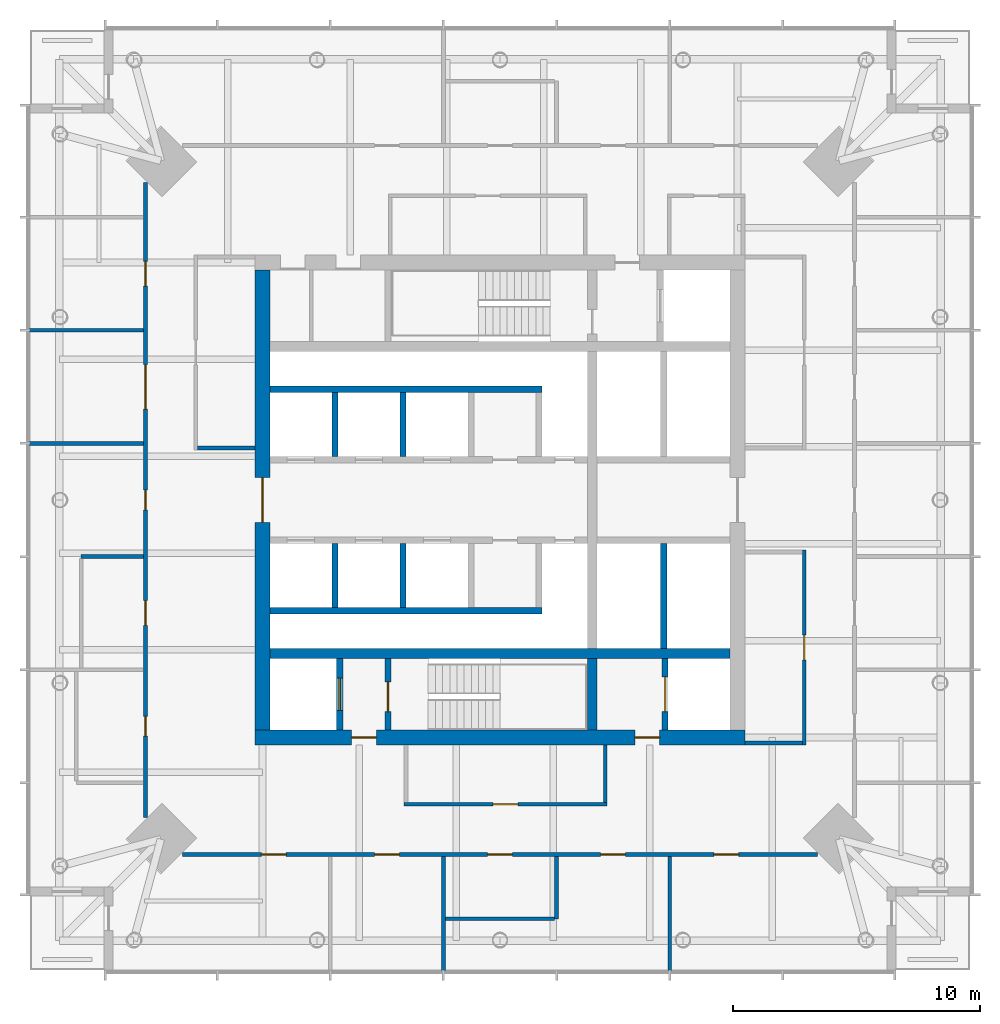
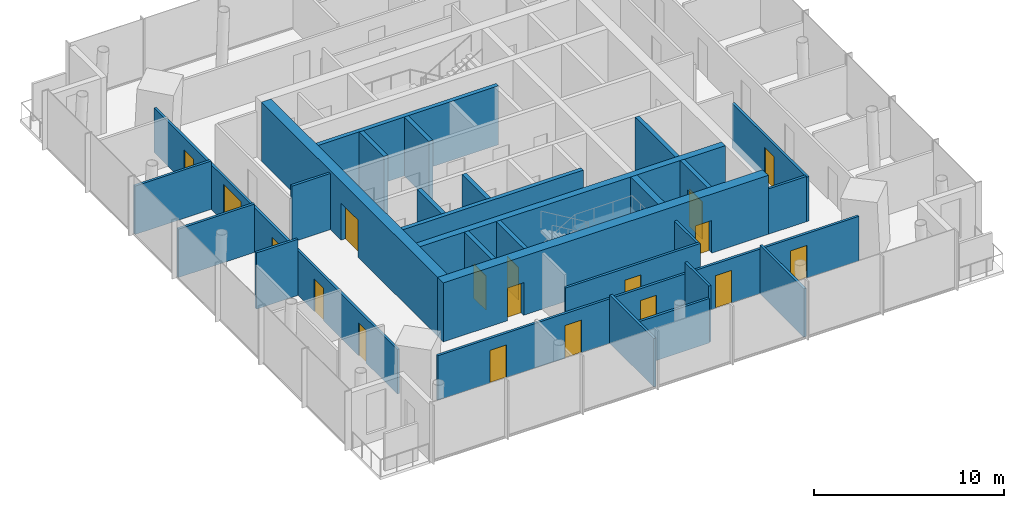
# One storey, part 4 of 7: 28 walls, 18 doors, 18 openings.
"""IFC4 building model written with IfcOpenShell, lengths in metres."""

from ifc_helpers import new_model, si_unit, direction, frame, frame_2d, origin, place, context, subcontext, project, spatial, rectangle, extrude, material, layer, layer_set, type_object, element, fill, save


model = new_model("IFC4")

# Units and contexts
model_context = context("Model", 3, precision=1e-05, world=origin(), true_north=direction((0.0, 1.0)))
body_context = subcontext(model_context, "Body", "Model", "MODEL_VIEW")
ifc_project = project(units=[si_unit("LENGTHUNIT", "METRE"), si_unit("AREAUNIT", "SQUARE_METRE"), si_unit("VOLUMEUNIT", "CUBIC_METRE"), si_unit("PLANEANGLEUNIT", "RADIAN"), si_unit("MASSUNIT", "GRAM", prefix="KILO")], contexts=[model_context])

# Site, building, storey
site_placement = place(None, origin())
site = spatial("IfcSite", under=ifc_project, at=site_placement, CompositionType="ELEMENT")
building_placement = place(site_placement, origin())
building = spatial("IfcBuilding", under=site, at=building_placement, Name="Ostroluk Exchange", CompositionType="ELEMENT")
storey_placement = place(building_placement, frame((0.0, 0.0, 214.800048828125)))
storey = spatial("IfcBuildingStorey", under=building, at=storey_placement, Name="L55", CompositionType="ELEMENT", Elevation=214.800048828125)

# Walls
ifc_material_1 = material(Name="Concrete C50/60", Category="concrete")
ifc_layer_1 = layer(ifc_material_1, 0.39990234375)
ifc_layer_set_1 = layer_set([ifc_layer_1], Name="Core cross wall 400 C50/60")
wall_type_1 = type_object("IfcWallType", Name="Core cross wall 400 C50/60", PredefinedType="SHEAR", material=ifc_layer_set_1)
wall_1_placement = place(storey_placement, frame((35.699951171875, 39.800048828125, 0.0), z_axis=(0.0, 0.0, 1.0), x_axis=(1.0, 0.0, 0.0)))
element("IfcWall", 1, at=wall_1_placement, inside=storey, type_object=wall_type_1, Name="T1 core wall XS", PredefinedType="SHEAR", context=body_context, shape_type="SweptSolid", body=[
    extrude(rectangle(XDim=18.60009765625, YDim=0.39990234375, at=frame_2d((9.300048828125, 0.0))), origin(), (0.0, 0.0, 1.0), 3.800048828125),
])
wall_2_placement = place(storey_placement, frame((48.72998046875, 36.699951171875, 0.0), z_axis=(0.0, 0.0, 1.0), x_axis=(0.0, 1.0, 0.0)))
element("IfcWall", 2, at=wall_2_placement, inside=storey, type_object=wall_type_1, Name="T1 core wall YE1", PredefinedType="SHEAR", context=body_context, shape_type="SweptSolid", body=[
    extrude(rectangle(XDim=2.900146484375, YDim=0.39990234375, at=frame_2d((1.4501953125, 0.0))), origin(), (0.0, 0.0, 1.0), 3.800048828125),
])

# Wall, opening, door
ifc_material_2 = material(Name="Concrete C40/50", Category="concrete")
ifc_layer_2 = layer(ifc_material_2, 0.25)
ifc_layer_set_2 = layer_set([ifc_layer_2], Name="Core shaft wall 250")
wall_type_2 = type_object("IfcWallType", Name="Core shaft wall 250", PredefinedType="SHEAR", material=ifc_layer_set_2)
wall_3_placement = place(storey_placement, frame((38.52490234375, 36.699951171875, 0.0), z_axis=(0.0, 0.0, 1.0), x_axis=(0.0, 1.0, 0.0)))
wall_3 = element("IfcWall", 3, at=wall_3_placement, inside=storey, type_object=wall_type_2, Name="Firefighting lift shaft wall", PredefinedType="SHEAR", context=body_context, shape_type="SweptSolid", body=[
    extrude(rectangle(XDim=2.900146484375, YDim=0.25, at=frame_2d((1.4501953125, 0.0))), origin(), (0.0, 0.0, 1.0), 3.800048828125),
])
opening_1_placement = place(wall_3_placement, frame((0.800048828125, 0.0, 0.0)))
opening_1 = element("IfcOpeningElement", 4, at=opening_1_placement, cuts=wall_3, Name="Opening LD2", PredefinedType="OPENING", context=body_context, shape_type="SweptSolid", body=[
    extrude(rectangle(XDim=1.300048828125, YDim=2.199951171875, at=frame_2d((0.64990234375, 1.10009765625))), frame((0.0, 0.135009765625, 0.0), z_axis=(0.0, -1.0, 0.0), x_axis=(1.0, 0.0, 0.0)), (0.0, 0.0, 1.0), 0.27001953125),
])
ifc_material_3 = material(Name="Stainless steel", Category="steel")
door_type_1 = type_object("IfcDoorType", Name="Lift landing door E 60 1300 x 2200", OperationType="DOUBLE_DOOR_SLIDING", PredefinedType="DOOR", material=ifc_material_3)
door_1_placement = place(opening_1_placement, origin())
door_1 = element("IfcDoor", 5, at=door_1_placement, inside=storey, type_object=door_type_1, Name="Lift FL1 landing door", OperationType="DOUBLE_DOOR_SLIDING", OverallHeight=2.199951171875, OverallWidth=1.300048828125, PredefinedType="DOOR", context=body_context, shape_type="SweptSolid", body=[
    extrude(rectangle(XDim=1.300048828125, YDim=2.199951171875, at=frame_2d((0.64990234375, 1.10009765625))), frame((0.0, 0.02490234375, 0.0), z_axis=(0.0, -1.0, 0.0), x_axis=(1.0, 0.0, 0.0)), (0.0, 0.0, 1.0), 0.050048828125),
])
fill(opening_1, door_1)

wall_4_placement = place(storey_placement, frame((40.47509765625, 36.699951171875, 0.0), z_axis=(0.0, 0.0, 1.0), x_axis=(0.0, 1.0, 0.0)))
wall_4 = element("IfcWall", 6, at=wall_4_placement, inside=storey, type_object=wall_type_2, Name="Stair shaft wall", PredefinedType="SHEAR", context=body_context, shape_type="SweptSolid", body=[
    extrude(rectangle(XDim=2.900146484375, YDim=0.25, at=frame_2d((1.4501953125, 0.0))), origin(), (0.0, 0.0, 1.0), 3.800048828125),
])
opening_2_placement = place(wall_4_placement, frame((0.75, 0.0, 0.0)))
opening_2 = element("IfcOpeningElement", 7, at=opening_2_placement, cuts=wall_4, Name="Opening FD60S", PredefinedType="OPENING", context=body_context, shape_type="SweptSolid", body=[
    extrude(rectangle(XDim=1.199951171875, YDim=2.10009765625, at=frame_2d((0.60009765625, 1.050048828125))), frame((0.0, 0.135009765625, 0.0), z_axis=(0.0, -1.0, 0.0), x_axis=(1.0, 0.0, 0.0)), (0.0, 0.0, 1.0), 0.27001953125),
])
ifc_material_4 = material(Name="Steel", Category="steel")
door_type_2 = type_object("IfcDoorType", Name="Stair door EI 60 1200 x 2100", OperationType="SINGLE_SWING_LEFT", PredefinedType="DOOR", material=ifc_material_4)
door_2_placement = place(opening_2_placement, origin())
door_2 = element("IfcDoor", 8, at=door_2_placement, inside=storey, type_object=door_type_2, Name="Stair T1-S1 door", OperationType="SINGLE_SWING_LEFT", OverallHeight=2.10009765625, OverallWidth=1.199951171875, PredefinedType="DOOR", context=body_context, shape_type="SweptSolid", body=[
    extrude(rectangle(XDim=1.199951171875, YDim=2.10009765625, at=frame_2d((0.60009765625, 1.050048828125))), frame((0.0, 0.02490234375, 0.0), z_axis=(0.0, -1.0, 0.0), x_axis=(1.0, 0.0, 0.0)), (0.0, 0.0, 1.0), 0.050048828125),
])
fill(opening_2, door_2)

wall_5_placement = place(storey_placement, frame((51.675048828125, 36.699951171875, 0.0), z_axis=(0.0, 0.0, 1.0), x_axis=(0.0, 1.0, 0.0)))
wall_5 = element("IfcWall", 9, at=wall_5_placement, inside=storey, type_object=wall_type_2, Name="Service lift shaft wall", PredefinedType="SHEAR", context=body_context, shape_type="SweptSolid", body=[
    extrude(rectangle(XDim=2.900146484375, YDim=0.25, at=frame_2d((1.4501953125, 0.0))), origin(), (0.0, 0.0, 1.0), 3.800048828125),
])
opening_3_placement = place(wall_5_placement, frame((0.75, 0.0, 0.0)))
opening_3 = element("IfcOpeningElement", 10, at=opening_3_placement, cuts=wall_5, Name="Opening LD3", PredefinedType="OPENING", context=body_context, shape_type="SweptSolid", body=[
    extrude(rectangle(XDim=1.39990234375, YDim=2.39990234375, at=frame_2d((0.699951171875, 1.199951171875))), frame((0.0, 0.135009765625, 0.0), z_axis=(0.0, -1.0, 0.0), x_axis=(1.0, 0.0, 0.0)), (0.0, 0.0, 1.0), 0.27001953125),
])
ifc_material_5 = material(Name="Stainless steel", Category="steel")
door_type_3 = type_object("IfcDoorType", Name="Goods lift landing door E 60 1400 x 2400", OperationType="DOUBLE_DOOR_SLIDING", PredefinedType="DOOR", material=ifc_material_5)
door_3_placement = place(opening_3_placement, origin())
door_3 = element("IfcDoor", 11, at=door_3_placement, inside=storey, type_object=door_type_3, Name="Lift SL1 landing door", OperationType="DOUBLE_DOOR_SLIDING", OverallHeight=2.39990234375, OverallWidth=1.39990234375, PredefinedType="DOOR", context=body_context, shape_type="SweptSolid", body=[
    extrude(rectangle(XDim=1.39990234375, YDim=2.39990234375, at=frame_2d((0.699951171875, 1.199951171875))), frame((0.0, 0.02490234375, 0.0), z_axis=(0.0, -1.0, 0.0), x_axis=(1.0, 0.0, 0.0)), (0.0, 0.0, 1.0), 0.050048828125),
])
fill(opening_3, door_3)

# Walls
for number, where, z_axis, x_axis, name in (
    (12, (38.324951171875, 47.75, 0.0), (0.0, 0.0, 1.0), (0.0, 1.0, 0.0), "Lift shaft wall"),
    (13, (41.074951171875, 47.75, 0.0), (0.0, 0.0, 1.0), (0.0, 1.0, 0.0), "Lift shaft wall"),
):
    element("IfcWall", number, at=place(storey_placement, frame(where, z_axis=z_axis, x_axis=x_axis)), inside=storey, type_object=wall_type_2, Name=name, PredefinedType="SHEAR", context=body_context, shape_type="SweptSolid", body=[
        extrude(rectangle(XDim=2.60009765625, YDim=0.25, at=frame_2d((1.300048828125, 0.0))), origin(), (0.0, 0.0, 1.0), 3.800048828125),
    ])
wall_6_placement = place(storey_placement, frame((35.699951171875, 50.47509765625, 0.0), z_axis=(0.0, 0.0, 1.0), x_axis=(1.0, 0.0, 0.0)))
element("IfcWall", 14, at=wall_6_placement, inside=storey, type_object=wall_type_2, Name="Lift shaft wall", PredefinedType="SHEAR", context=body_context, shape_type="SweptSolid", body=[
    extrude(rectangle(XDim=11.0, YDim=0.25, at=frame_2d((5.5, 0.0))), origin(), (0.0, 0.0, 1.0), 3.800048828125),
])
for number, where, z_axis, x_axis, name in (
    (15, (38.324951171875, 44.25, 0.0), (0.0, 0.0, 1.0), (0.0, -1.0, 0.0), "Lift shaft wall"),
    (16, (41.074951171875, 44.25, 0.0), (0.0, 0.0, 1.0), (0.0, -1.0, 0.0), "Lift shaft wall"),
):
    element("IfcWall", number, at=place(storey_placement, frame(where, z_axis=z_axis, x_axis=x_axis)), inside=storey, type_object=wall_type_2, Name=name, PredefinedType="SHEAR", context=body_context, shape_type="SweptSolid", body=[
        extrude(rectangle(XDim=2.60009765625, YDim=0.25, at=frame_2d((1.300048828125, 0.0))), origin(), (0.0, 0.0, 1.0), 3.800048828125),
    ])
wall_7_placement = place(storey_placement, frame((35.699951171875, 41.52490234375, 0.0), z_axis=(0.0, 0.0, 1.0), x_axis=(1.0, 0.0, 0.0)))
element("IfcWall", 17, at=wall_7_placement, inside=storey, type_object=wall_type_2, Name="Lift shaft wall", PredefinedType="SHEAR", context=body_context, shape_type="SweptSolid", body=[
    extrude(rectangle(XDim=11.0, YDim=0.25, at=frame_2d((5.5, 0.0))), origin(), (0.0, 0.0, 1.0), 3.800048828125),
])
wall_8_placement = place(storey_placement, frame((51.614990234375, 44.25, 0.0), z_axis=(0.0, 0.0, 1.0), x_axis=(0.0, -1.0, 0.0)))
element("IfcWall", 18, at=wall_8_placement, inside=storey, type_object=wall_type_2, Name="Lift shaft wall", PredefinedType="SHEAR", context=body_context, shape_type="SweptSolid", body=[
    extrude(rectangle(XDim=4.25, YDim=0.25, at=frame_2d((2.125, 0.0))), origin(), (0.0, 0.0, 1.0), 3.800048828125),
])

# Wall, openings, doors
ifc_material_6 = material(Name="Concrete C50/60", Category="concrete")
ifc_layer_3 = layer(ifc_material_6, 0.60009765625)
ifc_layer_set_3 = layer_set([ifc_layer_3], Name="Core wall 600 C50/60")
wall_type_3 = type_object("IfcWallType", Name="Core wall 600 C50/60", PredefinedType="SHEAR", material=ifc_layer_set_3)
wall_9_placement = place(storey_placement, frame((35.10009765625, 36.39990234375, 0.0), z_axis=(0.0, 0.0, 1.0), x_axis=(1.0, 0.0, 0.0)))
wall_9 = element("IfcWall", 19, at=wall_9_placement, inside=storey, type_object=wall_type_3, Name="T1 core wall S", PredefinedType="SHEAR", context=body_context, shape_type="SweptSolid", body=[
    extrude(rectangle(XDim=19.7998046875, YDim=0.60009765625, at=frame_2d((9.89990234375, 0.0))), origin(), (0.0, 0.0, 1.0), 3.800048828125),
])
opening_4_placement = place(wall_9_placement, frame((3.89990234375, 0.0, 0.0)))
opening_4 = element("IfcOpeningElement", 20, at=opening_4_placement, cuts=wall_9, Name="Opening FD60", PredefinedType="OPENING", context=body_context, shape_type="SweptSolid", body=[
    extrude(rectangle(XDim=1.0, YDim=2.10009765625, at=frame_2d((0.5, 1.050048828125))), frame((0.0, 0.31005859375, 0.0), z_axis=(0.0, -1.0, 0.0), x_axis=(1.0, 0.0, 0.0)), (0.0, 0.0, 1.0), 0.6201171875),
])
opening_5_placement = place(wall_9_placement, frame((15.35009765625, 0.0, 0.0)))
opening_5 = element("IfcOpeningElement", 21, at=opening_5_placement, cuts=wall_9, Name="Opening FD60", PredefinedType="OPENING", context=body_context, shape_type="SweptSolid", body=[
    extrude(rectangle(XDim=1.0, YDim=2.10009765625, at=frame_2d((0.5, 1.050048828125))), frame((0.0, 0.31005859375, 0.0), z_axis=(0.0, -1.0, 0.0), x_axis=(1.0, 0.0, 0.0)), (0.0, 0.0, 1.0), 0.6201171875),
])
ifc_material_7 = material(Name="Steel", Category="steel")
door_type_4 = type_object("IfcDoorType", Name="Fire door EI 60 1000 x 2100", OperationType="SINGLE_SWING_LEFT", PredefinedType="DOOR", material=ifc_material_7)
door_4_placement = place(opening_4_placement, origin())
door_4 = element("IfcDoor", 22, at=door_4_placement, inside=storey, type_object=door_type_4, Name="Firefighting lobby door", OperationType="SINGLE_SWING_LEFT", OverallHeight=2.10009765625, OverallWidth=1.0, PredefinedType="DOOR", context=body_context, shape_type="SweptSolid", body=[
    extrude(rectangle(XDim=1.0, YDim=2.10009765625, at=frame_2d((0.5, 1.050048828125))), frame((0.0, 0.02490234375, 0.0), z_axis=(0.0, -1.0, 0.0), x_axis=(1.0, 0.0, 0.0)), (0.0, 0.0, 1.0), 0.050048828125),
])
fill(opening_4, door_4)
door_5_placement = place(opening_5_placement, origin())
door_5 = element("IfcDoor", 23, at=door_5_placement, inside=storey, type_object=door_type_4, Name="Service lobby door", OperationType="SINGLE_SWING_RIGHT", OverallHeight=2.10009765625, OverallWidth=1.0, PredefinedType="DOOR", context=body_context, shape_type="SweptSolid", body=[
    extrude(rectangle(XDim=1.0, YDim=2.10009765625, at=frame_2d((0.5, 1.050048828125))), frame((0.0, 0.02490234375, 0.0), z_axis=(0.0, -1.0, 0.0), x_axis=(1.0, 0.0, 0.0)), (0.0, 0.0, 1.0), 0.050048828125),
])
fill(opening_5, door_5)

# Wall, opening, door
wall_10_placement = place(storey_placement, frame((35.39990234375, 36.699951171875, 0.0), z_axis=(0.0, 0.0, 1.0), x_axis=(0.0, 1.0, 0.0)))
wall_10 = element("IfcWall", 24, at=wall_10_placement, inside=storey, type_object=wall_type_3, Name="T1 core wall W", PredefinedType="SHEAR", context=body_context, shape_type="SweptSolid", body=[
    extrude(rectangle(XDim=18.60009765625, YDim=0.60009765625, at=frame_2d((9.300048828125, 0.0))), origin(), (0.0, 0.0, 1.0), 3.800048828125),
])
opening_6_placement = place(wall_10_placement, frame((8.39990234375, 0.0, 0.0)))
opening_6 = element("IfcOpeningElement", 25, at=opening_6_placement, cuts=wall_10, Name="Opening FD30D", PredefinedType="OPENING", context=body_context, shape_type="SweptSolid", body=[
    extrude(rectangle(XDim=1.800048828125, YDim=2.39990234375, at=frame_2d((0.89990234375, 1.199951171875))), frame((0.0, 0.31005859375, 0.0), z_axis=(0.0, -1.0, 0.0), x_axis=(1.0, 0.0, 0.0)), (0.0, 0.0, 1.0), 0.6201171875),
])
ifc_material_8 = material(Name="Timber", Category="wood")
door_type_5 = type_object("IfcDoorType", Name="Lobby double door EI 30 1800 x 2400", OperationType="DOUBLE_DOOR_SINGLE_SWING", PredefinedType="DOOR", material=ifc_material_8)
door_6_placement = place(opening_6_placement, origin())
door_6 = element("IfcDoor", 26, at=door_6_placement, inside=storey, type_object=door_type_5, Name="Lift lobby doors", OperationType="DOUBLE_DOOR_SINGLE_SWING", OverallHeight=2.39990234375, OverallWidth=1.800048828125, PredefinedType="DOOR", context=body_context, shape_type="SweptSolid", body=[
    extrude(rectangle(XDim=1.800048828125, YDim=2.39990234375, at=frame_2d((0.89990234375, 1.199951171875))), frame((0.0, 0.02490234375, 0.0), z_axis=(0.0, -1.0, 0.0), x_axis=(1.0, 0.0, 0.0)), (0.0, 0.0, 1.0), 0.050048828125),
])
fill(opening_6, door_6)

ifc_material_9 = material(Name="Gypsum plasterboard partition", Category="gypsum")
ifc_layer_4 = layer(ifc_material_9, 0.14990234375)
ifc_layer_set_4 = layer_set([ifc_layer_4], Name="Plasterboard partition 150")
wall_type_4 = type_object("IfcWallType", Name="Plasterboard partition 150", PredefinedType="PARTITIONING", material=ifc_layer_set_4)
wall_11_placement = place(storey_placement, frame((57.300048828125, 36.10009765625, 0.0), z_axis=(0.0, 0.0, 1.0), x_axis=(0.0, 1.0, 0.0)))
wall_11 = element("IfcWall", 27, at=wall_11_placement, inside=storey, type_object=wall_type_4, Name="Partition", PredefinedType="PARTITIONING", context=body_context, shape_type="SweptSolid", body=[
    extrude(rectangle(XDim=7.875, YDim=0.14990234375, at=frame_2d((3.9375, 0.0))), origin(), (0.0, 0.0, 1.0), 2.866943359375),
])
opening_7_placement = place(wall_11_placement, frame((3.4375, 0.0, 0.0)))
opening_7 = element("IfcOpeningElement", 28, at=opening_7_placement, cuts=wall_11, Name="Opening D-03", PredefinedType="OPENING", context=body_context, shape_type="SweptSolid", body=[
    extrude(rectangle(XDim=1.0, YDim=2.10009765625, at=frame_2d((0.5, 1.050048828125))), frame((0.0, 0.0849609375, 0.0), z_axis=(0.0, -1.0, 0.0), x_axis=(1.0, 0.0, 0.0)), (0.0, 0.0, 1.0), 0.169921875),
])
ifc_material_10 = material(Name="Timber", Category="wood")
door_type_6 = type_object("IfcDoorType", Name="Internal door 1000 x 2100", OperationType="SINGLE_SWING_LEFT", PredefinedType="DOOR", material=ifc_material_10)
door_7_placement = place(opening_7_placement, origin())
door_7 = element("IfcDoor", 29, at=door_7_placement, inside=storey, type_object=door_type_6, Name="Quiet room door", OperationType="SINGLE_SWING_LEFT", OverallHeight=2.10009765625, OverallWidth=1.0, PredefinedType="DOOR", context=body_context, shape_type="SweptSolid", body=[
    extrude(rectangle(XDim=1.0, YDim=2.10009765625, at=frame_2d((0.5, 1.050048828125))), frame((0.0, 0.02490234375, 0.0), z_axis=(0.0, -1.0, 0.0), x_axis=(1.0, 0.0, 0.0)), (0.0, 0.0, 1.0), 0.050048828125),
])
fill(opening_7, door_7)

# Walls
wall_12_placement = place(storey_placement, frame((54.89990234375, 36.175048828125, 0.0), z_axis=(0.0, 0.0, 1.0), x_axis=(1.0, 0.0, 0.0)))
element("IfcWall", 30, at=wall_12_placement, inside=storey, type_object=wall_type_4, Name="Partition", PredefinedType="PARTITIONING", context=body_context, shape_type="SweptSolid", body=[
    extrude(rectangle(XDim=2.3251953125, YDim=0.14990234375, at=frame_2d((1.16259765625, 0.0))), origin(), (0.0, 0.0, 1.0), 2.919921875),
])
wall_13_placement = place(storey_placement, frame((35.10009765625, 48.10009765625, 0.0), z_axis=(0.0, 0.0, 1.0), x_axis=(-1.0, 0.0, 0.0)))
element("IfcWall", 31, at=wall_13_placement, inside=storey, type_object=wall_type_4, Name="Partition", PredefinedType="PARTITIONING", context=body_context, shape_type="SweptSolid", body=[
    extrude(rectangle(XDim=2.3251953125, YDim=0.14990234375, at=frame_2d((1.16259765625, 0.0))), origin(), (0.0, 0.0, 1.0), 3.619873046875),
])

# Wall, opening, door
wall_14_placement = place(storey_placement, frame((41.125, 33.699951171875, 0.0), z_axis=(0.0, 0.0, 1.0), x_axis=(1.0, 0.0, 0.0)))
wall_14 = element("IfcWall", 32, at=wall_14_placement, inside=storey, type_object=wall_type_4, Name="Partition", PredefinedType="PARTITIONING", context=body_context, shape_type="SweptSolid", body=[
    extrude(rectangle(XDim=8.199951171875, YDim=0.14990234375, at=frame_2d((4.10009765625, 0.0))), origin(), (0.0, 0.0, 1.0), 2.866943359375),
])
opening_8_placement = place(wall_14_placement, frame((3.60009765625, 0.0, 0.0)))
opening_8 = element("IfcOpeningElement", 33, at=opening_8_placement, cuts=wall_14, Name="Opening D-03", PredefinedType="OPENING", context=body_context, shape_type="SweptSolid", body=[
    extrude(rectangle(XDim=1.0, YDim=2.10009765625, at=frame_2d((0.5, 1.050048828125))), frame((0.0, 0.0849609375, 0.0), z_axis=(0.0, -1.0, 0.0), x_axis=(1.0, 0.0, 0.0)), (0.0, 0.0, 1.0), 0.169921875),
])
door_8_placement = place(opening_8_placement, origin())
door_8 = element("IfcDoor", 34, at=door_8_placement, inside=storey, type_object=door_type_6, Name="Quiet room door", OperationType="SINGLE_SWING_LEFT", OverallHeight=2.10009765625, OverallWidth=1.0, PredefinedType="DOOR", context=body_context, shape_type="SweptSolid", body=[
    extrude(rectangle(XDim=1.0, YDim=2.10009765625, at=frame_2d((0.5, 1.050048828125))), frame((0.0, 0.02490234375, 0.0), z_axis=(0.0, -1.0, 0.0), x_axis=(1.0, 0.0, 0.0)), (0.0, 0.0, 1.0), 0.050048828125),
])
fill(opening_8, door_8)

# Wall
wall_15_placement = place(storey_placement, frame((49.25, 36.10009765625, 0.0), z_axis=(0.0, 0.0, 1.0), x_axis=(0.0, -1.0, 0.0)))
element("IfcWall", 35, at=wall_15_placement, inside=storey, type_object=wall_type_4, Name="Partition", PredefinedType="PARTITIONING", context=body_context, shape_type="SweptSolid", body=[
    extrude(rectangle(XDim=2.3251953125, YDim=0.14990234375, at=frame_2d((1.16259765625, 0.0))), origin(), (0.0, 0.0, 1.0), 2.866943359375),
])

# Wall, openings, doors
wall_16_placement = place(storey_placement, frame((30.675048828125, 58.835693359375, 0.0), z_axis=(0.0, 0.0, 1.0), x_axis=(0.0, -1.0, 0.0)))
wall_16 = element("IfcWall", 36, at=wall_16_placement, inside=storey, type_object=wall_type_4, Name="Partition", PredefinedType="PARTITIONING", context=body_context, shape_type="SweptSolid", body=[
    extrude(rectangle(XDim=25.67138671875, YDim=0.14990234375, at=frame_2d((12.835693359375, 0.0))), origin(), (0.0, 0.0, 1.0), 2.866943359375),
])
opening_9_placement = place(wall_16_placement, frame((3.19287109375, 0.0, 0.0)))
opening_9 = element("IfcOpeningElement", 37, at=opening_9_placement, cuts=wall_16, Name="Opening D-03", PredefinedType="OPENING", context=body_context, shape_type="SweptSolid", body=[
    extrude(rectangle(XDim=1.0, YDim=2.10009765625, at=frame_2d((0.5, 1.050048828125))), frame((0.0, 0.0849609375, 0.0), z_axis=(0.0, -1.0, 0.0), x_axis=(1.0, 0.0, 0.0)), (0.0, 0.0, 1.0), 0.169921875),
])
opening_10_placement = place(wall_16_placement, frame((7.3642578125, 0.0, 0.0)))
opening_10 = element("IfcOpeningElement", 38, at=opening_10_placement, cuts=wall_16, Name="Opening D-04", PredefinedType="OPENING", context=body_context, shape_type="SweptSolid", body=[
    extrude(rectangle(XDim=1.800048828125, YDim=2.39990234375, at=frame_2d((0.89990234375, 1.199951171875))), frame((0.0, 0.0849609375, 0.0), z_axis=(0.0, -1.0, 0.0), x_axis=(1.0, 0.0, 0.0)), (0.0, 0.0, 1.0), 0.169921875),
])
opening_11_placement = place(wall_16_placement, frame((12.435791015625, 0.0, 0.0)))
opening_11 = element("IfcOpeningElement", 39, at=opening_11_placement, cuts=wall_16, Name="Opening D-06", PredefinedType="OPENING", context=body_context, shape_type="SweptSolid", body=[
    extrude(rectangle(XDim=0.800048828125, YDim=2.10009765625, at=frame_2d((0.39990234375, 1.050048828125))), frame((0.0, 0.0849609375, 0.0), z_axis=(0.0, -1.0, 0.0), x_axis=(1.0, 0.0, 0.0)), (0.0, 0.0, 1.0), 0.169921875),
])
opening_12_placement = place(wall_16_placement, frame((16.9072265625, 0.0, 0.0)))
opening_12 = element("IfcOpeningElement", 40, at=opening_12_placement, cuts=wall_16, Name="Opening D-03", PredefinedType="OPENING", context=body_context, shape_type="SweptSolid", body=[
    extrude(rectangle(XDim=1.0, YDim=2.10009765625, at=frame_2d((0.5, 1.050048828125))), frame((0.0, 0.0849609375, 0.0), z_axis=(0.0, -1.0, 0.0), x_axis=(1.0, 0.0, 0.0)), (0.0, 0.0, 1.0), 0.169921875),
])
opening_13_placement = place(wall_16_placement, frame((21.57861328125, 0.0, 0.0)))
opening_13 = element("IfcOpeningElement", 41, at=opening_13_placement, cuts=wall_16, Name="Opening D-06", PredefinedType="OPENING", context=body_context, shape_type="SweptSolid", body=[
    extrude(rectangle(XDim=0.800048828125, YDim=2.10009765625, at=frame_2d((0.39990234375, 1.050048828125))), frame((0.0, 0.0849609375, 0.0), z_axis=(0.0, -1.0, 0.0), x_axis=(1.0, 0.0, 0.0)), (0.0, 0.0, 1.0), 0.169921875),
])
ifc_material_11 = material(Name="Timber", Category="wood")
door_type_7 = type_object("IfcDoorType", Name="Double door 1800 x 2400", OperationType="DOUBLE_DOOR_SINGLE_SWING", PredefinedType="DOOR", material=ifc_material_11)
door_9_placement = place(opening_10_placement, origin())
door_9 = element("IfcDoor", 42, at=door_9_placement, inside=storey, type_object=door_type_7, Name="Boardroom door", OperationType="DOUBLE_DOOR_SINGLE_SWING", OverallHeight=2.39990234375, OverallWidth=1.800048828125, PredefinedType="DOOR", context=body_context, shape_type="SweptSolid", body=[
    extrude(rectangle(XDim=1.800048828125, YDim=2.39990234375, at=frame_2d((0.89990234375, 1.199951171875))), frame((0.0, 0.02490234375, 0.0), z_axis=(0.0, -1.0, 0.0), x_axis=(1.0, 0.0, 0.0)), (0.0, 0.0, 1.0), 0.050048828125),
])
fill(opening_10, door_9)
door_10_placement = place(opening_9_placement, origin())
door_10 = element("IfcDoor", 43, at=door_10_placement, inside=storey, type_object=door_type_6, Name="Office door", OperationType="SINGLE_SWING_LEFT", OverallHeight=2.10009765625, OverallWidth=1.0, PredefinedType="DOOR", context=body_context, shape_type="SweptSolid", body=[
    extrude(rectangle(XDim=1.0, YDim=2.10009765625, at=frame_2d((0.5, 1.050048828125))), frame((0.0, 0.02490234375, 0.0), z_axis=(0.0, -1.0, 0.0), x_axis=(1.0, 0.0, 0.0)), (0.0, 0.0, 1.0), 0.050048828125),
])
fill(opening_9, door_10)
door_11_placement = place(opening_12_placement, origin())
door_11 = element("IfcDoor", 44, at=door_11_placement, inside=storey, type_object=door_type_6, Name="Accessible WC door", OperationType="SINGLE_SWING_RIGHT", OverallHeight=2.10009765625, OverallWidth=1.0, PredefinedType="DOOR", context=body_context, shape_type="SweptSolid", body=[
    extrude(rectangle(XDim=1.0, YDim=2.10009765625, at=frame_2d((0.5, 1.050048828125))), frame((0.0, 0.02490234375, 0.0), z_axis=(0.0, -1.0, 0.0), x_axis=(1.0, 0.0, 0.0)), (0.0, 0.0, 1.0), 0.050048828125),
])
fill(opening_12, door_11)
ifc_material_12 = material(Name="Timber", Category="wood")
door_type_8 = type_object("IfcDoorType", Name="Toilet door 800 x 2100", OperationType="SINGLE_SWING_LEFT", PredefinedType="DOOR", material=ifc_material_12)
door_12_placement = place(opening_11_placement, origin())
door_12 = element("IfcDoor", 45, at=door_12_placement, inside=storey, type_object=door_type_8, Name="WC female door", OperationType="SINGLE_SWING_LEFT", OverallHeight=2.10009765625, OverallWidth=0.800048828125, PredefinedType="DOOR", context=body_context, shape_type="SweptSolid", body=[
    extrude(rectangle(XDim=0.800048828125, YDim=2.10009765625, at=frame_2d((0.39990234375, 1.050048828125))), frame((0.0, 0.02490234375, 0.0), z_axis=(0.0, -1.0, 0.0), x_axis=(1.0, 0.0, 0.0)), (0.0, 0.0, 1.0), 0.050048828125),
])
fill(opening_11, door_12)
door_13_placement = place(opening_13_placement, origin())
door_13 = element("IfcDoor", 46, at=door_13_placement, inside=storey, type_object=door_type_8, Name="WC male door", OperationType="SINGLE_SWING_RIGHT", OverallHeight=2.10009765625, OverallWidth=0.800048828125, PredefinedType="DOOR", context=body_context, shape_type="SweptSolid", body=[
    extrude(rectangle(XDim=0.800048828125, YDim=2.10009765625, at=frame_2d((0.39990234375, 1.050048828125))), frame((0.0, 0.02490234375, 0.0), z_axis=(0.0, -1.0, 0.0), x_axis=(1.0, 0.0, 0.0)), (0.0, 0.0, 1.0), 0.050048828125),
])
fill(opening_13, door_13)

# Walls
for number, where, z_axis, x_axis, name in (
    (47, (30.60009765625, 52.857177734375, 0.0), (0.0, 0.0, 1.0), (-1.0, 0.0, 0.0), "Partition"),
    (48, (30.60009765625, 48.28564453125, 0.0), (0.0, 0.0, 1.0), (-1.0, 0.0, 0.0), "Partition"),
):
    element("IfcWall", number, at=place(storey_placement, frame(where, z_axis=z_axis, x_axis=x_axis)), inside=storey, type_object=wall_type_4, Name=name, PredefinedType="PARTITIONING", context=body_context, shape_type="SweptSolid", body=[
        extrude(rectangle(XDim=4.64013671875, YDim=0.14990234375, at=frame_2d((2.320068359375, 0.0))), origin(), (0.0, 0.0, 1.0), 3.119873046875),
    ])
wall_17_placement = place(storey_placement, frame((30.60009765625, 43.71435546875, 0.0), z_axis=(0.0, 0.0, 1.0), x_axis=(-1.0, 0.0, 0.0)))
element("IfcWall", 49, at=wall_17_placement, inside=storey, type_object=wall_type_4, Name="Partition", PredefinedType="PARTITIONING", context=body_context, shape_type="SweptSolid", body=[
    extrude(rectangle(XDim=2.525146484375, YDim=0.14990234375, at=frame_2d((1.2626953125, 0.0))), origin(), (0.0, 0.0, 1.0), 3.619873046875),
])
wall_18_placement = place(storey_placement, frame((42.789306640625, 29.074951171875, 0.0), z_axis=(0.0, 0.0, 1.0), x_axis=(1.0, 0.0, 0.0)))
element("IfcWall", 50, at=wall_18_placement, inside=storey, type_object=wall_type_4, Name="Partition", PredefinedType="PARTITIONING", context=body_context, shape_type="SweptSolid", body=[
    extrude(rectangle(XDim=4.42138671875, YDim=0.14990234375, at=frame_2d((2.210693359375, 0.0))), origin(), (0.0, 0.0, 1.0), 2.866943359375),
])

# Wall, openings, doors
wall_19_placement = place(storey_placement, frame((32.164306640625, 31.675048828125, 0.0), z_axis=(0.0, 0.0, 1.0), x_axis=(1.0, 0.0, 0.0)))
wall_19 = element("IfcWall", 51, at=wall_19_placement, inside=storey, type_object=wall_type_4, Name="Partition", PredefinedType="PARTITIONING", context=body_context, shape_type="SweptSolid", body=[
    extrude(rectangle(XDim=25.67138671875, YDim=0.14990234375, at=frame_2d((12.835693359375, 0.0))), origin(), (0.0, 0.0, 1.0), 2.866943359375),
])
opening_14_placement = place(wall_19_placement, frame((3.19287109375, 0.0, 0.0)))
opening_14 = element("IfcOpeningElement", 52, at=opening_14_placement, cuts=wall_19, Name="Opening D-03", PredefinedType="OPENING", context=body_context, shape_type="SweptSolid", body=[
    extrude(rectangle(XDim=1.0, YDim=2.10009765625, at=frame_2d((0.5, 1.050048828125))), frame((0.0, 0.0849609375, 0.0), z_axis=(0.0, -1.0, 0.0), x_axis=(1.0, 0.0, 0.0)), (0.0, 0.0, 1.0), 0.169921875),
])
opening_15_placement = place(wall_19_placement, frame((7.764404296875, 0.0, 0.0)))
opening_15 = element("IfcOpeningElement", 53, at=opening_15_placement, cuts=wall_19, Name="Opening D-03", PredefinedType="OPENING", context=body_context, shape_type="SweptSolid", body=[
    extrude(rectangle(XDim=1.0, YDim=2.10009765625, at=frame_2d((0.5, 1.050048828125))), frame((0.0, 0.0849609375, 0.0), z_axis=(0.0, -1.0, 0.0), x_axis=(1.0, 0.0, 0.0)), (0.0, 0.0, 1.0), 0.169921875),
])
opening_16_placement = place(wall_19_placement, frame((12.335693359375, 0.0, 0.0)))
opening_16 = element("IfcOpeningElement", 54, at=opening_16_placement, cuts=wall_19, Name="Opening D-03", PredefinedType="OPENING", context=body_context, shape_type="SweptSolid", body=[
    extrude(rectangle(XDim=1.0, YDim=2.10009765625, at=frame_2d((0.5, 1.050048828125))), frame((0.0, 0.0849609375, 0.0), z_axis=(0.0, -1.0, 0.0), x_axis=(1.0, 0.0, 0.0)), (0.0, 0.0, 1.0), 0.169921875),
])
opening_17_placement = place(wall_19_placement, frame((16.9072265625, 0.0, 0.0)))
opening_17 = element("IfcOpeningElement", 55, at=opening_17_placement, cuts=wall_19, Name="Opening D-03", PredefinedType="OPENING", context=body_context, shape_type="SweptSolid", body=[
    extrude(rectangle(XDim=1.0, YDim=2.10009765625, at=frame_2d((0.5, 1.050048828125))), frame((0.0, 0.0849609375, 0.0), z_axis=(0.0, -1.0, 0.0), x_axis=(1.0, 0.0, 0.0)), (0.0, 0.0, 1.0), 0.169921875),
])
opening_18_placement = place(wall_19_placement, frame((21.478759765625, 0.0, 0.0)))
opening_18 = element("IfcOpeningElement", 56, at=opening_18_placement, cuts=wall_19, Name="Opening D-03", PredefinedType="OPENING", context=body_context, shape_type="SweptSolid", body=[
    extrude(rectangle(XDim=1.0, YDim=2.10009765625, at=frame_2d((0.5, 1.050048828125))), frame((0.0, 0.0849609375, 0.0), z_axis=(0.0, -1.0, 0.0), x_axis=(1.0, 0.0, 0.0)), (0.0, 0.0, 1.0), 0.169921875),
])
door_14_placement = place(opening_14_placement, origin())
door_14 = element("IfcDoor", 57, at=door_14_placement, inside=storey, type_object=door_type_6, Name="Office suite door", OperationType="SINGLE_SWING_LEFT", OverallHeight=2.10009765625, OverallWidth=1.0, PredefinedType="DOOR", context=body_context, shape_type="SweptSolid", body=[
    extrude(rectangle(XDim=1.0, YDim=2.10009765625, at=frame_2d((0.5, 1.050048828125))), frame((0.0, 0.02490234375, 0.0), z_axis=(0.0, -1.0, 0.0), x_axis=(1.0, 0.0, 0.0)), (0.0, 0.0, 1.0), 0.050048828125),
])
fill(opening_14, door_14)
door_15_placement = place(opening_15_placement, origin())
door_15 = element("IfcDoor", 58, at=door_15_placement, inside=storey, type_object=door_type_6, Name="Meeting room door", OperationType="SINGLE_SWING_LEFT", OverallHeight=2.10009765625, OverallWidth=1.0, PredefinedType="DOOR", context=body_context, shape_type="SweptSolid", body=[
    extrude(rectangle(XDim=1.0, YDim=2.10009765625, at=frame_2d((0.5, 1.050048828125))), frame((0.0, 0.02490234375, 0.0), z_axis=(0.0, -1.0, 0.0), x_axis=(1.0, 0.0, 0.0)), (0.0, 0.0, 1.0), 0.050048828125),
])
fill(opening_15, door_15)
door_16_placement = place(opening_16_placement, origin())
door_16 = element("IfcDoor", 59, at=door_16_placement, inside=storey, type_object=door_type_6, Name="Pantry door", OperationType="SINGLE_SWING_LEFT", OverallHeight=2.10009765625, OverallWidth=1.0, PredefinedType="DOOR", context=body_context, shape_type="SweptSolid", body=[
    extrude(rectangle(XDim=1.0, YDim=2.10009765625, at=frame_2d((0.5, 1.050048828125))), frame((0.0, 0.02490234375, 0.0), z_axis=(0.0, -1.0, 0.0), x_axis=(1.0, 0.0, 0.0)), (0.0, 0.0, 1.0), 0.050048828125),
])
fill(opening_16, door_16)
door_17_placement = place(opening_17_placement, origin())
door_17 = element("IfcDoor", 60, at=door_17_placement, inside=storey, type_object=door_type_6, Name="Office door", OperationType="SINGLE_SWING_RIGHT", OverallHeight=2.10009765625, OverallWidth=1.0, PredefinedType="DOOR", context=body_context, shape_type="SweptSolid", body=[
    extrude(rectangle(XDim=1.0, YDim=2.10009765625, at=frame_2d((0.5, 1.050048828125))), frame((0.0, 0.02490234375, 0.0), z_axis=(0.0, -1.0, 0.0), x_axis=(1.0, 0.0, 0.0)), (0.0, 0.0, 1.0), 0.050048828125),
])
fill(opening_17, door_17)
door_18_placement = place(opening_18_placement, origin())
door_18 = element("IfcDoor", 61, at=door_18_placement, inside=storey, type_object=door_type_6, Name="Office door", OperationType="SINGLE_SWING_RIGHT", OverallHeight=2.10009765625, OverallWidth=1.0, PredefinedType="DOOR", context=body_context, shape_type="SweptSolid", body=[
    extrude(rectangle(XDim=1.0, YDim=2.10009765625, at=frame_2d((0.5, 1.050048828125))), frame((0.0, 0.02490234375, 0.0), z_axis=(0.0, -1.0, 0.0), x_axis=(1.0, 0.0, 0.0)), (0.0, 0.0, 1.0), 0.050048828125),
])
fill(opening_18, door_18)

# Walls
wall_20_placement = place(storey_placement, frame((42.71435546875, 31.60009765625, 0.0), z_axis=(0.0, 0.0, 1.0), x_axis=(0.0, -1.0, 0.0)))
element("IfcWall", 62, at=wall_20_placement, inside=storey, type_object=wall_type_4, Name="Partition", PredefinedType="PARTITIONING", context=body_context, shape_type="SweptSolid", body=[
    extrude(rectangle(XDim=4.64013671875, YDim=0.14990234375, at=frame_2d((2.320068359375, 0.0))), origin(), (0.0, 0.0, 1.0), 3.119873046875),
])
wall_21_placement = place(storey_placement, frame((47.28564453125, 31.60009765625, 0.0), z_axis=(0.0, 0.0, 1.0), x_axis=(0.0, -1.0, 0.0)))
element("IfcWall", 63, at=wall_21_placement, inside=storey, type_object=wall_type_4, Name="Partition", PredefinedType="PARTITIONING", context=body_context, shape_type="SweptSolid", body=[
    extrude(rectangle(XDim=2.525146484375, YDim=0.14990234375, at=frame_2d((1.2626953125, 0.0))), origin(), (0.0, 0.0, 1.0), 3.619873046875),
])
wall_22_placement = place(storey_placement, frame((51.857177734375, 31.60009765625, 0.0), z_axis=(0.0, 0.0, 1.0), x_axis=(0.0, -1.0, 0.0)))
element("IfcWall", 64, at=wall_22_placement, inside=storey, type_object=wall_type_4, Name="Partition", PredefinedType="PARTITIONING", context=body_context, shape_type="SweptSolid", body=[
    extrude(rectangle(XDim=4.64013671875, YDim=0.14990234375, at=frame_2d((2.320068359375, 0.0))), origin(), (0.0, 0.0, 1.0), 3.119873046875),
])

save(model, "model.ifc")
